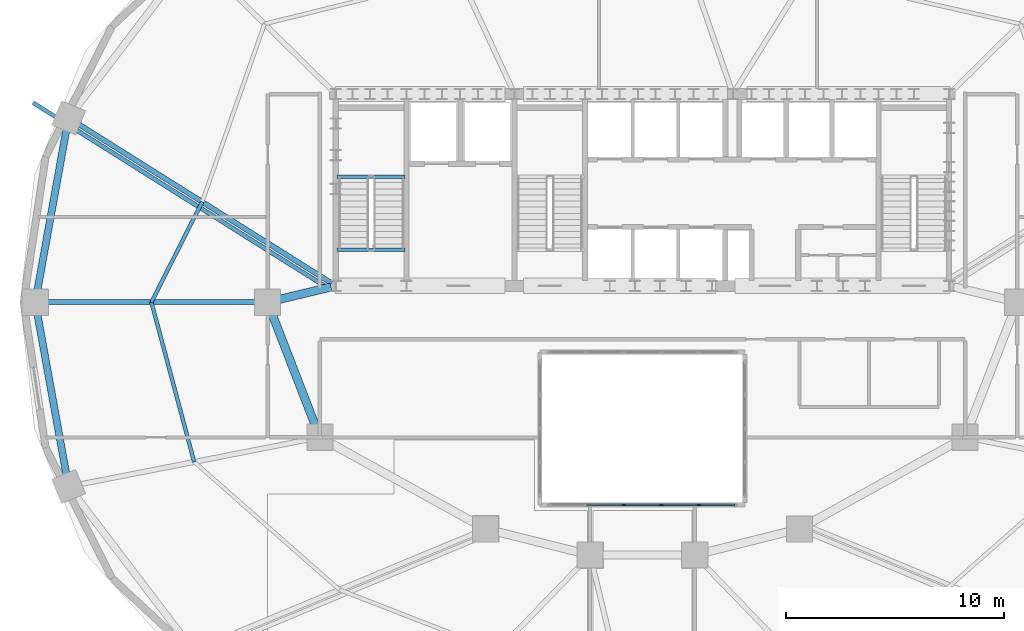
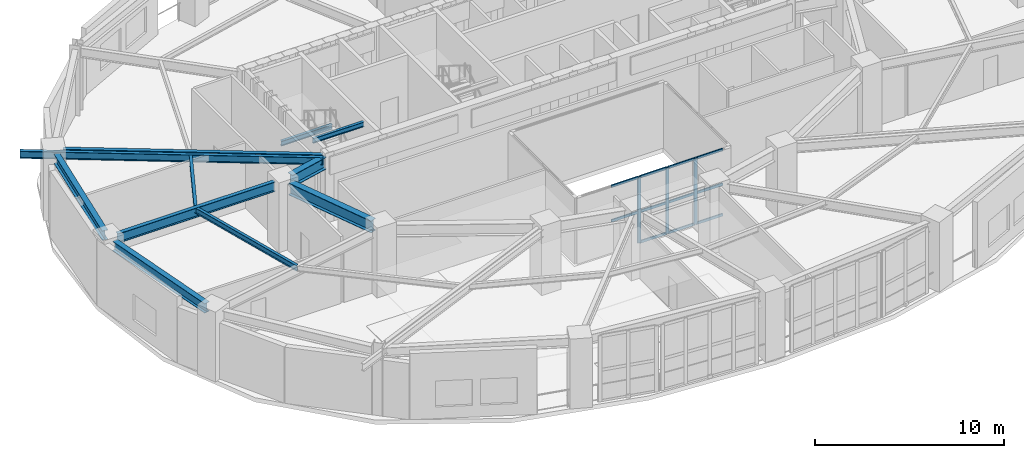
# One storey, part 3 of 15: 14 members, 11 beams, 1 element without a shape of its own.
"""IFC4 building model written with IfcOpenShell, lengths in metres."""

import ifcopenshell
import ifcopenshell.guid

model = None  # the IFC model being written
_history = None  # IfcOwnerHistory: only IFC2X3 demands one
_inside = {}  # id of a spatial element -> (the spatial element, [elements in it])
_under = {}  # id of a project, library or spatial element -> (it, [spatial elements below it])
_declared = {}  # id of a project -> (the project, [libraries it declares])
_typed = {}  # id of a type object -> (the type object, [elements of that type])
_made_of = {}  # id of a material, layer set ... -> (it, [elements and type objects made of it])


def new_model(schema):
    """Start an empty IFC model of exactly this schema.

    Asked for "IFC4X3", IfcOpenShell would pick the latest addendum, in which some entities
    have other attributes; the version numbers below select the first issue.
    IFC2X3 requires an IfcOwnerHistory on every rooted entity: one is made here for all.
    """
    global model, _history
    if schema == "IFC4X3":
        model = ifcopenshell.file(schema_version=(4, 3, 0, 0))
    else:
        model = ifcopenshell.file(schema=schema)
    _inside.clear()
    _under.clear()
    _declared.clear()
    _typed.clear()
    _made_of.clear()
    _history = None
    if model.schema == "IFC2X3":
        org = make("IfcOrganization", Name="unknown")
        user = make(
            "IfcPersonAndOrganization",
            ThePerson=make("IfcPerson", FamilyName="unknown"),
            TheOrganization=org,
        )
        app = make(
            "IfcApplication",
            ApplicationDeveloper=org,
            Version="unknown",
            ApplicationFullName="unknown",
            ApplicationIdentifier="unknown",
        )
        _history = make(
            "IfcOwnerHistory",
            OwningUser=user,
            OwningApplication=app,
            ChangeAction="ADDED",
            CreationDate=0,
        )
    return model


def make(cls, **values):
    """One entity of the class cls with the attributes given. An attribute that is None is left unset."""
    return model.create_entity(
        cls, **{name: value for name, value in values.items() if value is not None}
    )


def rooted(cls, **values):
    """An entity with a GlobalId (a new one), such as an element, a storey or a relation."""
    return make(cls, GlobalId=ifcopenshell.guid.new(), OwnerHistory=_history, **values)


def si_unit(unit_type, name, prefix=None):
    """IfcSIUnit, for example si_unit("LENGTHUNIT", "METRE", prefix="MILLI")."""
    return make("IfcSIUnit", UnitType=unit_type, Prefix=prefix, Name=name)


def assignment(units):
    """IfcUnitAssignment: the units of a project."""
    return None if units is None else make("IfcUnitAssignment", Units=units)


def point(xyz):
    """IfcCartesianPoint."""
    return None if xyz is None else make("IfcCartesianPoint", Coordinates=xyz)


def direction(xyz):
    """IfcDirection."""
    return None if xyz is None else make("IfcDirection", DirectionRatios=xyz)


def frame(location, z_axis=None, x_axis=None):
    """IfcAxis2Placement3D, a coordinate frame: its origin and axes. An axis left out is left unset."""
    return make(
        "IfcAxis2Placement3D",
        Location=point(location),
        Axis=direction(z_axis),
        RefDirection=direction(x_axis),
    )


def frame_2d(location, x_axis=None):
    """IfcAxis2Placement2D, a coordinate frame in the plane: its origin and x axis."""
    return make(
        "IfcAxis2Placement2D", Location=point(location), RefDirection=direction(x_axis)
    )


def origin():
    """The frame at (0, 0, 0) with its axes left unset."""
    return frame((0.0, 0.0, 0.0))


def origin_2d():
    """The frame at (0, 0) in the plane with its x axis left unset."""
    return frame_2d((0.0, 0.0))


def place(relative_to, where):
    """IfcLocalPlacement: puts the frame where relative to a parent placement (None: the world)."""
    return make(
        "IfcLocalPlacement", PlacementRelTo=relative_to, RelativePlacement=where
    )


def context(
    kind, dimensions, precision=None, world=None, true_north=None, identifier=None
):
    """IfcGeometricRepresentationContext, for example the 3D "Model" context."""
    return make(
        "IfcGeometricRepresentationContext",
        ContextIdentifier=identifier,
        ContextType=kind,
        CoordinateSpaceDimension=dimensions,
        Precision=precision,
        WorldCoordinateSystem=world,
        TrueNorth=true_north,
    )


def subcontext(parent, identifier, kind, view, scale=None):
    """IfcGeometricRepresentationSubContext, for example "Body" below "Model"."""
    return make(
        "IfcGeometricRepresentationSubContext",
        ContextIdentifier=identifier,
        ContextType=kind,
        ParentContext=parent,
        TargetScale=scale,
        TargetView=view,
    )


def project(units=None, contexts=None):
    """IfcProject with its units and contexts."""
    return rooted(
        "IfcProject",
        Name="project",
        RepresentationContexts=contexts,
        UnitsInContext=assignment(units),
    )


def spatial(cls, under=None, at=None, **own):
    """A site, building, storey or space (cls), placed at a placement, below another one or the project."""
    s = rooted(cls, ObjectPlacement=at, **own)
    if under is not None:
        _under.setdefault(under.id(), (under, []))[1].append(s)
    return s


def profile(cls, at=None, kind="AREA", **sizes):
    """A parametric profile (cls). Its sizes go by their IFC names, for example OverallWidth=200.0."""
    return make(cls, ProfileType=kind, Position=at, **sizes)


def rectangle(**sizes):
    """IfcRectangleProfileDef."""
    return profile("IfcRectangleProfileDef", **sizes)


def i_section(**sizes):
    """IfcIShapeProfileDef."""
    return profile("IfcIShapeProfileDef", **sizes)


def extrude(swept, where, along, depth):
    """IfcExtrudedAreaSolid: the profile swept, set in the frame where, extruded along a direction by depth."""
    return make(
        "IfcExtrudedAreaSolid",
        SweptArea=swept,
        Position=where,
        ExtrudedDirection=direction(along),
        Depth=depth,
    )


def shape(context_of_items, identifier, shape_type, items):
    """IfcShapeRepresentation: the items that make up one representation, for example the "Body"."""
    return make(
        "IfcShapeRepresentation",
        ContextOfItems=context_of_items,
        RepresentationIdentifier=identifier,
        RepresentationType=shape_type,
        Items=items,
    )


def material(Name=None, Category=None):
    """IfcMaterial."""
    return make("IfcMaterial", Name=Name, Category=Category)


def material_profile(
    of_material, cross_section, Name=None, Category=None, Priority=None
):
    """IfcMaterialProfile: a cross section and its material."""
    return make(
        "IfcMaterialProfile",
        Name=Name,
        Material=of_material,
        Profile=cross_section,
        Priority=Priority,
        Category=Category,
    )


def profile_set(profiles, Name=None, composite=None):
    """IfcMaterialProfileSet."""
    return make(
        "IfcMaterialProfileSet",
        Name=Name,
        MaterialProfiles=profiles,
        CompositeProfile=composite,
    )


def made_of(thing, what):
    """Note that an element or type object is made of a material, layer set ...; save() writes the relation."""
    if what is not None:
        _made_of.setdefault(what.id(), (what, []))[1].append(thing)
    return thing


def type_object(cls, material=None, **own):
    """A type object (cls), such as IfcWallType, which elements share."""
    return made_of(rooted(cls, **own), material)


def element(
    cls,
    number,
    at=None,
    inside=None,
    cuts=None,
    type_object=None,
    material=None,
    context=None,
    identifier="Body",
    shape_type=None,
    held_by="IfcProductDefinitionShape",
    body=None,
    shapes=None,
    **own,
):
    """One element of the class cls, such as IfcWall. Its Tag is "e" and its number.

    at: its placement. inside: the storey or other place that contains it. cuts: it is an
    opening in that element (IfcRelVoidsElement). A single representation is given by context,
    identifier, shape_type and body (its items); several are given by shapes. held_by: the class
    of the entity that holds the representations. save() writes the other relations.
    """
    e = rooted(cls, Tag="e%d" % number, ObjectPlacement=at, **own)
    if body is not None:
        shapes = [shape(context, identifier, shape_type, body)]
    if shapes is not None:
        e.Representation = make(held_by, Representations=shapes)
    if inside is not None:
        _inside.setdefault(inside.id(), (inside, []))[1].append(e)
    if cuts is not None:
        rooted(
            "IfcRelVoidsElement", RelatingBuildingElement=cuts, RelatedOpeningElement=e
        )
    if type_object is not None:
        _typed.setdefault(type_object.id(), (type_object, []))[1].append(e)
    return made_of(e, material)


def aggregate(whole, parts):
    """IfcRelAggregates: a whole, such as a stair, and the parts it consists of."""
    return rooted("IfcRelAggregates", RelatingObject=whole, RelatedObjects=parts)


def save(model, path):
    """Write the relations noted so far, then the file.

    IfcRelAggregates (storeys below a building ...), IfcRelContainedInSpatialStructure (elements
    in a storey), IfcRelDefinesByType, IfcRelAssociatesMaterial and IfcRelDeclares: one each for
    every whole, place, type object, material and project.
    """
    for whole, parts in _under.values():
        aggregate(whole, parts)
    for where, things in _inside.values():
        rooted(
            "IfcRelContainedInSpatialStructure",
            RelatedElements=things,
            RelatingStructure=where,
        )
    for kind, things in _typed.values():
        rooted("IfcRelDefinesByType", RelatedObjects=things, RelatingType=kind)
    for what, things in _made_of.values():
        rooted("IfcRelAssociatesMaterial", RelatedObjects=things, RelatingMaterial=what)
    for by, libraries in _declared.values():
        rooted("IfcRelDeclares", RelatingContext=by, RelatedDefinitions=libraries)
    model.write(path)


model = new_model("IFC4")

# Units and contexts
model_context = context("Model", 3, precision=1e-05, world=origin(), true_north=direction((0.0, 1.0)))
body_context = subcontext(model_context, "Body", "Model", "MODEL_VIEW")
ifc_project = project(units=[si_unit("LENGTHUNIT", "METRE"), si_unit("AREAUNIT", "SQUARE_METRE"), si_unit("VOLUMEUNIT", "CUBIC_METRE"), si_unit("PLANEANGLEUNIT", "RADIAN"), si_unit("MASSUNIT", "GRAM", prefix="KILO")], contexts=[model_context])

# Site, building, storey
site_placement = place(None, origin())
site = spatial("IfcSite", under=ifc_project, at=site_placement, CompositionType="ELEMENT")
building_placement = place(site_placement, origin())
building = spatial("IfcBuilding", under=site, at=building_placement, Name="Haldorwick Loom Tower", CompositionType="ELEMENT")
storey_placement = place(building_placement, frame((0.0, 0.0, 105.949951171875)))
storey = spatial("IfcBuildingStorey", under=building, at=storey_placement, Name="L28", CompositionType="ELEMENT", Elevation=105.949951171875)

# Curtain wall, members
ifc_material_1 = material(Name="Thermally Broken Anodized Aluminium Curtain Wall Framing", Category="aluminium")
curtain_wall_type = type_object("IfcCurtainWallType", Name="ARC-CW-03", PredefinedType="NOTDEFINED", material=ifc_material_1)
curtain_wall_placement = place(storey_placement, origin())
curtain_wall = element("IfcCurtainWall", 1, at=curtain_wall_placement, inside=storey, type_object=curtain_wall_type, Name="L28 Atrium Glazed Screen S", PredefinedType="NOTDEFINED")
ifc_material_profile_1 = material_profile(ifc_material_1, rectangle(XDim=0.06591796875, YDim=0.18505859375, at=origin_2d()), Name="ALU_MUL_66X185", Category="aluminium")
ifc_profile_set_1 = profile_set([ifc_material_profile_1], Name="Thermally Broken Anodized Aluminium Curtain Wall Framing")
member_type_1 = type_object("IfcMemberType", Name="ARC-CWM-03", PredefinedType="MULLION", material=ifc_profile_set_1)
member_1_placement = place(storey_placement, frame((38.580078125, 16.699951171875, 0.0), z_axis=(0.0, 0.0, 1.0), x_axis=(0.0, -1.0, 0.0)))
member_1 = element("IfcMember", 2, at=member_1_placement, type_object=member_type_1, Name="CW-03 mullion 2", PredefinedType="MULLION", context=body_context, shape_type="SweptSolid", body=[
    extrude(rectangle(XDim=0.06591796875, YDim=0.18505859375, at=origin_2d()), origin(), (0.0, 0.0, 1.0), 4.260009765625),
])
member_2_placement = place(storey_placement, frame((36.860107421875, 16.699951171875, 0.0), z_axis=(0.0, 0.0, 1.0), x_axis=(0.0, -1.0, 0.0)))
member_2 = element("IfcMember", 3, at=member_2_placement, type_object=member_type_1, Name="CW-03 mullion 3", PredefinedType="MULLION", context=body_context, shape_type="SweptSolid", body=[
    extrude(rectangle(XDim=0.06591796875, YDim=0.18505859375, at=origin_2d()), origin(), (0.0, 0.0, 1.0), 4.260009765625),
])
member_3_placement = place(storey_placement, frame((35.139892578125, 16.699951171875, 0.0), z_axis=(0.0, 0.0, 1.0), x_axis=(0.0, -1.0, 0.0)))
member_3 = element("IfcMember", 4, at=member_3_placement, type_object=member_type_1, Name="CW-03 mullion 4", PredefinedType="MULLION", context=body_context, shape_type="SweptSolid", body=[
    extrude(rectangle(XDim=0.06591796875, YDim=0.18505859375, at=origin_2d()), origin(), (0.0, 0.0, 1.0), 4.260009765625),
])
ifc_material_profile_2 = material_profile(ifc_material_1, rectangle(XDim=0.06591796875, YDim=0.1650390625, at=origin_2d()), Name="ALU_TRN_66X165", Category="aluminium")
ifc_profile_set_2 = profile_set([ifc_material_profile_2], Name="Thermally Broken Anodized Aluminium Curtain Wall Framing")
member_type_2 = type_object("IfcMemberType", Name="ARC-CWT-03", PredefinedType="USERDEFINED", material=ifc_profile_set_2)
member_4_placement = place(storey_placement, frame((40.23388671875, 16.699951171875, 0.032958984375), z_axis=(-1.0, 0.0, 0.0), x_axis=(0.0, -1.0, 0.0)))
member_4 = element("IfcMember", 5, at=member_4_placement, type_object=member_type_2, Name="CW-03 transom 1.1", ObjectType="TRANSOM", PredefinedType="USERDEFINED", context=body_context, shape_type="SweptSolid", body=[
    extrude(rectangle(XDim=0.06591796875, YDim=0.1650390625, at=origin_2d()), origin(), (0.0, 0.0, 1.0), 1.620849609375),
])
member_5_placement = place(storey_placement, frame((40.23388671875, 16.699951171875, 2.0), z_axis=(-1.0, 0.0, 0.0), x_axis=(0.0, -1.0, 0.0)))
member_5 = element("IfcMember", 6, at=member_5_placement, type_object=member_type_2, Name="CW-03 transom 1.2", ObjectType="TRANSOM", PredefinedType="USERDEFINED", context=body_context, shape_type="SweptSolid", body=[
    extrude(rectangle(XDim=0.06591796875, YDim=0.1650390625, at=origin_2d()), origin(), (0.0, 0.0, 1.0), 1.620849609375),
])
member_6_placement = place(storey_placement, frame((40.23388671875, 16.699951171875, 4.22705078125), z_axis=(-1.0, 0.0, 0.0), x_axis=(0.0, -1.0, 0.0)))
member_6 = element("IfcMember", 7, at=member_6_placement, type_object=member_type_2, Name="CW-03 transom 1.3", ObjectType="TRANSOM", PredefinedType="USERDEFINED", context=body_context, shape_type="SweptSolid", body=[
    extrude(rectangle(XDim=0.06591796875, YDim=0.1650390625, at=origin_2d()), origin(), (0.0, 0.0, 1.0), 1.620849609375),
])
member_7_placement = place(storey_placement, frame((38.547119140625, 16.699951171875, 0.032958984375), z_axis=(-1.0, 0.0, 0.0), x_axis=(0.0, -1.0, 0.0)))
member_7 = element("IfcMember", 8, at=member_7_placement, type_object=member_type_2, Name="CW-03 transom 2.1", ObjectType="TRANSOM", PredefinedType="USERDEFINED", context=body_context, shape_type="SweptSolid", body=[
    extrude(rectangle(XDim=0.06591796875, YDim=0.1650390625, at=origin_2d()), origin(), (0.0, 0.0, 1.0), 1.654052734375),
])
member_8_placement = place(storey_placement, frame((38.547119140625, 16.699951171875, 2.0), z_axis=(-1.0, 0.0, 0.0), x_axis=(0.0, -1.0, 0.0)))
member_8 = element("IfcMember", 9, at=member_8_placement, type_object=member_type_2, Name="CW-03 transom 2.2", ObjectType="TRANSOM", PredefinedType="USERDEFINED", context=body_context, shape_type="SweptSolid", body=[
    extrude(rectangle(XDim=0.06591796875, YDim=0.1650390625, at=origin_2d()), origin(), (0.0, 0.0, 1.0), 1.654052734375),
])
member_9_placement = place(storey_placement, frame((38.547119140625, 16.699951171875, 4.22705078125), z_axis=(-1.0, 0.0, 0.0), x_axis=(0.0, -1.0, 0.0)))
member_9 = element("IfcMember", 10, at=member_9_placement, type_object=member_type_2, Name="CW-03 transom 2.3", ObjectType="TRANSOM", PredefinedType="USERDEFINED", context=body_context, shape_type="SweptSolid", body=[
    extrude(rectangle(XDim=0.06591796875, YDim=0.1650390625, at=origin_2d()), origin(), (0.0, 0.0, 1.0), 1.654052734375),
])
member_10_placement = place(storey_placement, frame((36.826904296875, 16.699951171875, 0.032958984375), z_axis=(-1.0, 0.0, 0.0), x_axis=(0.0, -1.0, 0.0)))
member_10 = element("IfcMember", 11, at=member_10_placement, type_object=member_type_2, Name="CW-03 transom 3.1", ObjectType="TRANSOM", PredefinedType="USERDEFINED", context=body_context, shape_type="SweptSolid", body=[
    extrude(rectangle(XDim=0.06591796875, YDim=0.1650390625, at=origin_2d()), origin(), (0.0, 0.0, 1.0), 1.65380859375),
])
member_11_placement = place(storey_placement, frame((36.826904296875, 16.699951171875, 2.0), z_axis=(-1.0, 0.0, 0.0), x_axis=(0.0, -1.0, 0.0)))
member_11 = element("IfcMember", 12, at=member_11_placement, type_object=member_type_2, Name="CW-03 transom 3.2", ObjectType="TRANSOM", PredefinedType="USERDEFINED", context=body_context, shape_type="SweptSolid", body=[
    extrude(rectangle(XDim=0.06591796875, YDim=0.1650390625, at=origin_2d()), origin(), (0.0, 0.0, 1.0), 1.65380859375),
])
member_12_placement = place(storey_placement, frame((36.826904296875, 16.699951171875, 4.22705078125), z_axis=(-1.0, 0.0, 0.0), x_axis=(0.0, -1.0, 0.0)))
member_12 = element("IfcMember", 13, at=member_12_placement, type_object=member_type_2, Name="CW-03 transom 3.3", ObjectType="TRANSOM", PredefinedType="USERDEFINED", context=body_context, shape_type="SweptSolid", body=[
    extrude(rectangle(XDim=0.06591796875, YDim=0.1650390625, at=origin_2d()), origin(), (0.0, 0.0, 1.0), 1.65380859375),
])
member_13_placement = place(storey_placement, frame((35.10693359375, 16.699951171875, 2.0), z_axis=(-1.0, 0.0, 0.0), x_axis=(0.0, -1.0, 0.0)))
member_13 = element("IfcMember", 14, at=member_13_placement, type_object=member_type_2, Name="CW-03 transom 4.2", ObjectType="TRANSOM", PredefinedType="USERDEFINED", context=body_context, shape_type="SweptSolid", body=[
    extrude(rectangle(XDim=0.06591796875, YDim=0.1650390625, at=origin_2d()), origin(), (0.0, 0.0, 1.0), 1.654052734375),
])
member_14_placement = place(storey_placement, frame((35.10693359375, 16.699951171875, 4.22705078125), z_axis=(-1.0, 0.0, 0.0), x_axis=(0.0, -1.0, 0.0)))
member_14 = element("IfcMember", 15, at=member_14_placement, type_object=member_type_2, Name="CW-03 transom 4.3", ObjectType="TRANSOM", PredefinedType="USERDEFINED", context=body_context, shape_type="SweptSolid", body=[
    extrude(rectangle(XDim=0.06591796875, YDim=0.1650390625, at=origin_2d()), origin(), (0.0, 0.0, 1.0), 1.654052734375),
])
aggregate(curtain_wall, [member_1, member_2, member_3, member_4, member_5, member_6, member_7, member_8, member_9, member_10, member_11, member_12, member_13, member_14])

# Beams
ifc_material_2 = material(Name="Steel CSA G40.21 350W", Category="steel")
ifc_material_profile_3 = material_profile(ifc_material_2, i_section(OverallWidth=0.193115234375, OverallDepth=0.466064453125, WebThickness=0.011474609375, FlangeThickness=0.01904296875, at=origin_2d()), Name="W460X97", Category="steel")
ifc_profile_set_3 = profile_set([ifc_material_profile_3], Name="Steel CSA G40.21 350W")
beam_type_1 = type_object("IfcBeamType", Name="STR-BM-BAL460", PredefinedType="BEAM", material=ifc_profile_set_3)
beam_1_placement = place(storey_placement, frame((21.590576171875, 26.6328125, 4.027099609375), z_axis=(-0.846621037802, 0.532196221662, 0.0), x_axis=(-0.532196221662, -0.846621037802, 0.0)))
element("IfcBeam", 16, at=beam_1_placement, inside=storey, type_object=beam_type_1, Name="L28 Continuous Back-Spanned Balcony Beam 3", PredefinedType="BEAM", context=body_context, shape_type="SweptSolid", body=[
    extrude(i_section(OverallWidth=0.193115234375, OverallDepth=0.466064453125, WebThickness=0.011474609375, FlangeThickness=0.01904296875, at=origin_2d()), origin(), (0.0, 0.0, 1.0), 16.0068359375),
])
ifc_material_profile_4 = material_profile(ifc_material_2, i_section(OverallWidth=0.172119140625, OverallDepth=0.35791015625, WebThickness=0.0078125, FlangeThickness=0.01318359375, at=origin_2d()), Name="W360X57", Category="steel")
ifc_profile_set_4 = profile_set([ifc_material_profile_4], Name="Steel CSA G40.21 350W")
beam_type_2 = type_object("IfcBeamType", Name="STR-BM-J360", PredefinedType="JOIST", material=ifc_profile_set_4)
beam_2_placement = place(storey_placement, frame((15.7998046875, 30.603515625, 4.0810546875), z_axis=(-0.451373231558, -0.892335254169, 0.0), x_axis=(0.892335254169, -0.451373231558, 0.0)))
element("IfcBeam", 17, at=beam_2_placement, inside=storey, type_object=beam_type_2, Name="L28 Mid-Bay Secondary Joist 8", PredefinedType="JOIST", context=body_context, shape_type="SweptSolid", body=[
    extrude(i_section(OverallWidth=0.172119140625, OverallDepth=0.35791015625, WebThickness=0.0078125, FlangeThickness=0.01318359375, at=origin_2d()), origin(), (0.0, 0.0, 1.0), 5.158935546875),
])
beam_3_placement = place(storey_placement, frame((13.47119140625, 26.0, 4.0810546875), z_axis=(0.258810072536, -0.965928230436, 0.0), x_axis=(0.965928230436, 0.258810072536, 0.0)))
element("IfcBeam", 18, at=beam_3_placement, inside=storey, type_object=beam_type_2, Name="L28 Mid-Bay Secondary Joist 9", PredefinedType="JOIST", context=body_context, shape_type="SweptSolid", body=[
    extrude(i_section(OverallWidth=0.172119140625, OverallDepth=0.35791015625, WebThickness=0.0078125, FlangeThickness=0.01318359375, at=origin_2d()), origin(), (0.0, 0.0, 1.0), 7.587158203125),
])
ifc_material_profile_5 = material_profile(ifc_material_2, i_section(OverallWidth=0.324951171875, OverallDepth=0.615966796875, WebThickness=0.013916015625, FlangeThickness=0.021484375, at=origin_2d()), Name="W610X174", Category="steel")
ifc_profile_set_5 = profile_set([ifc_material_profile_5], Name="Steel CSA G40.21 350W")
beam_type_3 = type_object("IfcBeamType", Name="STR-BM-SP610", PredefinedType="SPANDREL", material=ifc_profile_set_5)
for number, where, z_axis, x_axis, name in (
    (19, (9.576904296875, 33.945556640625, 3.9521484375), (-0.177659490888, -0.984092020747, 0.0), (0.984092020747, -0.177659490888, 0.0), "L28 Perimeter Spandrel 8"),
    (20, (8.23486328125, 25.48828125, 3.9521484375), (0.177659490888, -0.984092020747, 0.0), (0.984092020747, 0.177659490888, 0.0), "L28 Perimeter Spandrel 9"),
):
    element("IfcBeam", number, at=place(storey_placement, frame(where, z_axis=z_axis, x_axis=x_axis)), inside=storey, type_object=beam_type_3, Name=name, PredefinedType="SPANDREL", context=body_context, shape_type="SweptSolid", body=[
        extrude(i_section(OverallWidth=0.324951171875, OverallDepth=0.615966796875, WebThickness=0.013916015625, FlangeThickness=0.021484375, at=origin_2d()), origin(), (0.0, 0.0, 1.0), 7.553955078125),
    ])
ifc_material_profile_6 = material_profile(ifc_material_2, i_section(OverallWidth=0.166015625, OverallDepth=0.31298828125, WebThickness=0.006591796875, FlangeThickness=0.01123046875, at=origin_2d()), Name="W310X45", Category="steel")
ifc_profile_set_6 = profile_set([ifc_material_profile_6], Name="Steel CSA G40.21 350W")
beam_type_4 = type_object("IfcBeamType", Name="STR-BM-STRM", PredefinedType="BEAM", material=ifc_profile_set_6)
for number, where, z_axis, x_axis, name in (
    (21, (21.989990234375, 28.39990234375, 4.103515625), (1.0, 0.0, 0.0), (0.0, 1.0, 0.0), "L28 Stair ST-01 Landing Edge Trimmer"),
    (22, (21.989990234375, 31.760009765625, 1.8935546875), (1.0, 0.0, 0.0), (0.0, 1.0, 0.0), "L28 Stair ST-01 Half-Landing Trimmer 1"),
):
    element("IfcBeam", number, at=place(storey_placement, frame(where, z_axis=z_axis, x_axis=x_axis)), inside=storey, type_object=beam_type_4, Name=name, PredefinedType="BEAM", context=body_context, shape_type="SweptSolid", body=[
        extrude(i_section(OverallWidth=0.166015625, OverallDepth=0.31298828125, WebThickness=0.006591796875, FlangeThickness=0.01123046875, at=origin_2d()), origin(), (0.0, 0.0, 1.0), 3.1201171875),
    ])
ifc_material_profile_7 = material_profile(ifc_material_2, i_section(OverallWidth=0.22998046875, OverallDepth=0.616943359375, WebThickness=0.01318359375, FlangeThickness=0.022216796875, at=origin_2d()), Name="W610X140", Category="steel")
ifc_profile_set_7 = profile_set([ifc_material_profile_7], Name="Steel CSA G40.21 350W")
beam_type_5 = type_object("IfcBeamType", Name="STR-BM-W610B", PredefinedType="BEAM", material=ifc_profile_set_7)
beam_4_placement = place(storey_placement, frame((21.739501953125, 26.86962890625, 3.95166015625), z_axis=(-0.846609551433, 0.532214493811, 0.0), x_axis=(-0.532214493811, -0.846609551433, 0.0)))
element("IfcBeam", 23, at=beam_4_placement, inside=storey, type_object=beam_type_5, Name="L28 Radial Floor Girder 8", PredefinedType="BEAM", context=body_context, shape_type="SweptSolid", body=[
    extrude(i_section(OverallWidth=0.22998046875, OverallDepth=0.616943359375, WebThickness=0.01318359375, FlangeThickness=0.022216796875, at=origin_2d()), origin(), (0.0, 0.0, 1.0), 13.737060546875),
])
beam_5_placement = place(storey_placement, frame((18.280029296875, 26.0, 3.95166015625), z_axis=(-1.0, 0.0, 0.0), x_axis=(0.0, -1.0, 0.0)))
element("IfcBeam", 24, at=beam_5_placement, inside=storey, type_object=beam_type_5, Name="L28 Radial Floor Girder 9", PredefinedType="BEAM", context=body_context, shape_type="SweptSolid", body=[
    extrude(i_section(OverallWidth=0.22998046875, OverallDepth=0.616943359375, WebThickness=0.01318359375, FlangeThickness=0.022216796875, at=origin_2d()), origin(), (0.0, 0.0, 1.0), 9.61767578125),
])
ifc_material_profile_8 = material_profile(ifc_material_2, i_section(OverallWidth=0.381103515625, OverallDepth=0.77294921875, WebThickness=0.0166015625, FlangeThickness=0.027587890625, at=origin_2d()), Name="W760X257", Category="steel")
ifc_profile_set_8 = profile_set([ifc_material_profile_8], Name="Steel CSA G40.21 350W")
beam_type_6 = type_object("IfcBeamType", Name="STR-BM-W760", PredefinedType="BEAM", material=ifc_profile_set_8)
beam_6_placement = place(storey_placement, frame((21.01220703125, 20.284912109375, 3.87353515625), z_axis=(-0.360964792353, 0.93257944363, 0.0), x_axis=(-0.93257944363, -0.360964792353, 0.0)))
element("IfcBeam", 25, at=beam_6_placement, inside=storey, type_object=beam_type_6, Name="L28 Inner Ring Girder 8", PredefinedType="BEAM", context=body_context, shape_type="SweptSolid", body=[
    extrude(i_section(OverallWidth=0.381103515625, OverallDepth=0.77294921875, WebThickness=0.0166015625, FlangeThickness=0.027587890625, at=origin_2d()), origin(), (0.0, 0.0, 1.0), 5.6083984375),
])
beam_7_placement = place(storey_placement, frame((19.3056640625, 26.12109375, 3.87353515625), z_axis=(0.97247055837, 0.233025777764, 0.0), x_axis=(-0.233025777764, 0.97247055837, 0.0)))
element("IfcBeam", 26, at=beam_7_placement, inside=storey, type_object=beam_type_6, Name="L28 Inner Ring Girder 9", PredefinedType="BEAM", context=body_context, shape_type="SweptSolid", body=[
    extrude(i_section(OverallWidth=0.381103515625, OverallDepth=0.77294921875, WebThickness=0.0166015625, FlangeThickness=0.027587890625, at=origin_2d()), origin(), (0.0, 0.0, 1.0), 2.4736328125),
])

save(model, "model.ifc")
